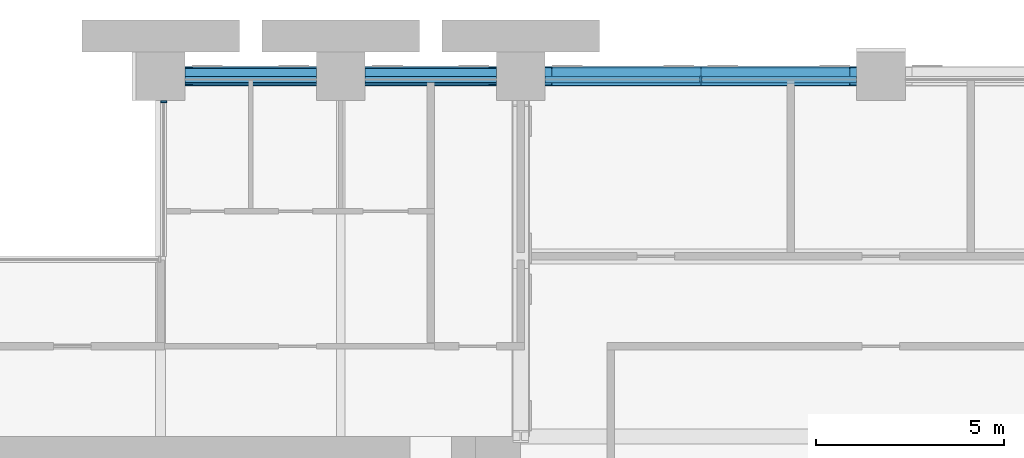
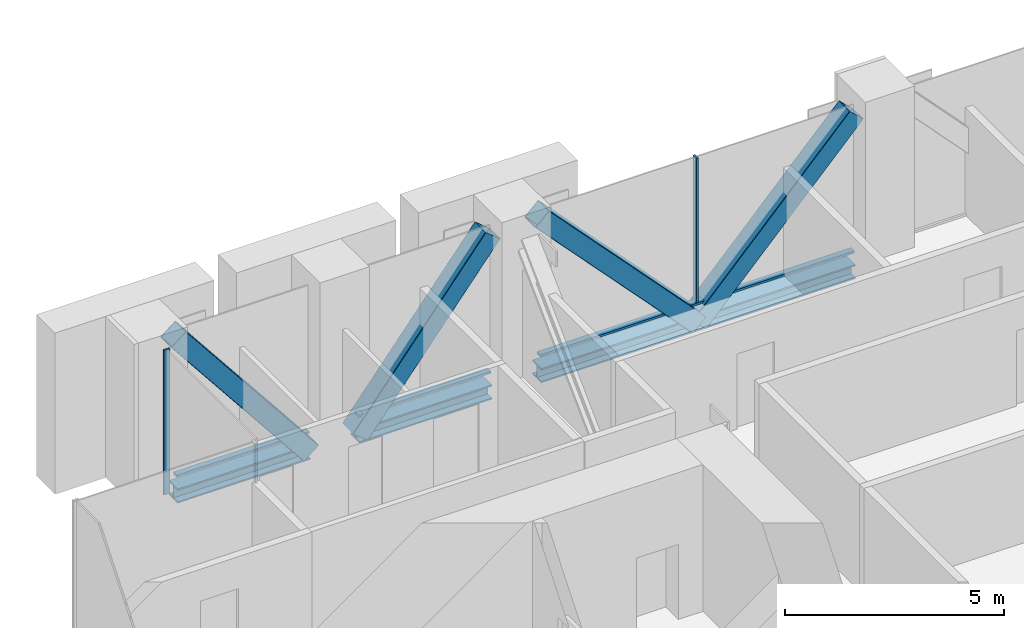
# One storey, part 7 of 15: 9 members, 3 beams, 2 elements without a shape of their own.
"""IFC4 building model written with IfcOpenShell, lengths in metres."""

from ifc_helpers import new_model, si_unit, direction, frame, origin, origin_2d, place, context, subcontext, project, spatial, rectangle, hollow_rectangle, i_section, extrude, material, material_profile, profile_set, type_object, element, aggregate, save


model = new_model("IFC4")

# Units and contexts
model_context = context("Model", 3, precision=1e-05, world=origin(), true_north=direction((0.0, 1.0)))
body_context = subcontext(model_context, "Body", "Model", "MODEL_VIEW")
ifc_project = project(units=[si_unit("LENGTHUNIT", "METRE"), si_unit("AREAUNIT", "SQUARE_METRE"), si_unit("VOLUMEUNIT", "CUBIC_METRE"), si_unit("PLANEANGLEUNIT", "RADIAN"), si_unit("MASSUNIT", "GRAM", prefix="KILO")], contexts=[model_context])

# Site, building, storey
site_placement = place(None, origin())
site = spatial("IfcSite", under=ifc_project, at=site_placement, CompositionType="ELEMENT")
building_placement = place(site_placement, origin())
building = spatial("IfcBuilding", under=site, at=building_placement, Name="Baori Bourse Tower", CompositionType="ELEMENT")
storey_placement = place(building_placement, frame((0.0, 0.0, 87.0)))
storey = spatial("IfcBuildingStorey", under=building, at=storey_placement, Name="L19", CompositionType="ELEMENT", Elevation=87.0)

# Beams
ifc_material_1 = material(Name="Steel A913 Gr 65", Category="steel")
ifc_material_profile_1 = material_profile(ifc_material_1, i_section(OverallWidth=0.4013671875, OverallDepth=0.398681640625, WebThickness=0.02490234375, FlangeThickness=0.03955078125, at=origin_2d()), Name="W14x211")
ifc_profile_set_1 = profile_set([ifc_material_profile_1], Name="Steel A913 Gr 65")
beam_type = type_object("IfcBeamType", Name="Belt truss chord W14x211", PredefinedType="BEAM", material=ifc_profile_set_1)
for number, where, z_axis, x_axis, name in (
    (1, (10.25, 48.0, -0.49951171875), (1.0, 0.0, 0.0), (0.0, 1.0, 0.0), "Belt truss chord L19"),
    (2, (15.050048828125, 48.0, -0.49951171875), (1.0, 0.0, 0.0), (0.0, 1.0, 0.0), "Belt truss chord L19"),
):
    element("IfcBeam", number, at=place(storey_placement, frame(where, z_axis=z_axis, x_axis=x_axis)), inside=storey, type_object=beam_type, Name=name, PredefinedType="BEAM", context=body_context, shape_type="SweptSolid", body=[
        extrude(i_section(OverallWidth=0.4013671875, OverallDepth=0.398681640625, WebThickness=0.02490234375, FlangeThickness=0.03955078125, at=origin_2d()), origin(), (0.0, 0.0, 1.0), 3.5),
    ])
beam_placement = place(storey_placement, frame((19.85009765625, 48.0, -0.49951171875), z_axis=(1.0, 0.0, 0.0), x_axis=(0.0, 1.0, 0.0)))
element("IfcBeam", 3, at=beam_placement, inside=storey, type_object=beam_type, Name="Belt truss chord L19", PredefinedType="BEAM", context=body_context, shape_type="SweptSolid", body=[
    extrude(i_section(OverallWidth=0.4013671875, OverallDepth=0.398681640625, WebThickness=0.02490234375, FlangeThickness=0.03955078125, at=origin_2d()), origin(), (0.0, 0.0, 1.0), 8.2998046875),
])

# Members
ifc_material_2 = material(Name="Steel A500 Gr C", Category="steel")
ifc_material_profile_2 = material_profile(ifc_material_2, hollow_rectangle(XDim=0.508056640625, YDim=0.508056640625, WallThickness=0.0146484375, InnerFilletRadius=0.00732421875, OuterFilletRadius=0.022216796875, at=origin_2d()), Name="HSS20x20x5/8")
ifc_profile_set_2 = profile_set([ifc_material_profile_2], Name="Steel A500 Gr C")
member_type_1 = type_object("IfcMemberType", Name="Belt truss diagonal HSS20x20x5/8", PredefinedType="BRACE", material=ifc_profile_set_2)
for number, where, z_axis, x_axis, name in (
    (4, (10.25, 48.0, 3.900634765625), (0.622510872677, 0.0, -0.782611150827), (0.0, 1.0, 0.0), "Belt truss diagonal L19"),
    (5, (15.050048828125, 48.0, -0.49951171875), (0.622510872677, 0.0, 0.782611150827), (0.0, 1.0, 0.0), "Belt truss diagonal L19"),
):
    element("IfcMember", number, at=place(storey_placement, frame(where, z_axis=z_axis, x_axis=x_axis)), inside=storey, type_object=member_type_1, Name=name, PredefinedType="BRACE", context=body_context, shape_type="SweptSolid", body=[
        extrude(hollow_rectangle(XDim=0.508056640625, YDim=0.508056640625, WallThickness=0.0146484375, InnerFilletRadius=0.00732421875, OuterFilletRadius=0.022216796875, at=origin_2d()), origin(), (0.0, 0.0, 1.0), 5.622314453125),
    ])
for number, where, z_axis, x_axis, name in (
    (6, (19.85009765625, 48.0, 3.900634765625), (0.686117261825, 0.0, -0.727490964223), (0.0, 1.0, 0.0), "Belt truss diagonal L19"),
    (7, (24.0, 48.0, -0.49951171875), (0.686117261825, 0.0, 0.727490964223), (0.0, 1.0, 0.0), "Belt truss diagonal L19"),
):
    element("IfcMember", number, at=place(storey_placement, frame(where, z_axis=z_axis, x_axis=x_axis)), inside=storey, type_object=member_type_1, Name=name, PredefinedType="BRACE", context=body_context, shape_type="SweptSolid", body=[
        extrude(hollow_rectangle(XDim=0.508056640625, YDim=0.508056640625, WallThickness=0.0146484375, InnerFilletRadius=0.00732421875, OuterFilletRadius=0.022216796875, at=origin_2d()), origin(), (0.0, 0.0, 1.0), 6.04833984375),
    ])

# Curtain wall, member
ifc_material_3 = material(Name="Pale anodised aluminium", Category="aluminium")
curtain_wall_type = type_object("IfcCurtainWallType", Name="CW3 Curtain wall", PredefinedType="NOTDEFINED", material=ifc_material_3)
curtain_wall_1_placement = place(storey_placement, origin())
curtain_wall_1 = element("IfcCurtainWall", 8, at=curtain_wall_1_placement, inside=storey, type_object=curtain_wall_type, Name="Curtain wall CW3 L19 4", PredefinedType="NOTDEFINED")
ifc_material_4 = material(Name="Pale anodised aluminium", Category="aluminium")
ifc_material_profile_3 = material_profile(ifc_material_4, rectangle(XDim=0.159912109375, YDim=0.050048828125, at=origin_2d()), Name="Mullion 50x160")
ifc_profile_set_3 = profile_set([ifc_material_profile_3], Name="Pale anodised aluminium")
member_type_2 = type_object("IfcMemberType", Name="CW3 Curtain wall mullion", PredefinedType="MULLION", material=ifc_profile_set_3)
member_1_placement = place(storey_placement, frame((24.0, 47.919921875, 0.06005859375), z_axis=(0.0, 0.0, 1.0), x_axis=(0.0, -1.0, 0.0)))
member_1 = element("IfcMember", 9, at=member_1_placement, type_object=member_type_2, Name="Curtain wall CW3 mullion", PredefinedType="MULLION", context=body_context, shape_type="SweptSolid", body=[
    extrude(rectangle(XDim=0.159912109375, YDim=0.050048828125, at=origin_2d()), origin(), (0.0, 0.0, 1.0), 4.0400390625),
])

curtain_wall_2_placement = place(storey_placement, origin())
curtain_wall_2 = element("IfcCurtainWall", 10, at=curtain_wall_2_placement, inside=storey, type_object=curtain_wall_type, Name="Curtain wall CW3 L19 5", PredefinedType="NOTDEFINED")
member_2_placement = place(storey_placement, frame((9.679931640625, 47.324951171875, 0.06005859375), z_axis=(0.0, 0.0, 1.0), x_axis=(1.0, 0.0, 0.0)))
member_2 = element("IfcMember", 11, at=member_2_placement, type_object=member_type_2, Name="Curtain wall CW3 mullion", PredefinedType="MULLION", context=body_context, shape_type="SweptSolid", body=[
    extrude(rectangle(XDim=0.159912109375, YDim=0.050048828125, at=origin_2d()), origin(), (0.0, 0.0, 1.0), 4.0400390625),
])
aggregate(curtain_wall_2, [member_2])

# Member
ifc_material_5 = material(Name="Pale anodised aluminium", Category="aluminium")
ifc_material_profile_4 = material_profile(ifc_material_5, rectangle(XDim=0.159912109375, YDim=0.06005859375, at=origin_2d()), Name="Transom 60x160")
ifc_profile_set_4 = profile_set([ifc_material_profile_4], Name="Pale anodised aluminium")
member_type_3 = type_object("IfcMemberType", Name="CW3 Curtain wall transom", PredefinedType="USERDEFINED", material=ifc_profile_set_4)
member_3_placement = place(storey_placement, frame((28.14990234375, 47.919921875, 0.030029296875), z_axis=(-1.0, 0.0, 0.0), x_axis=(0.0, -1.0, 0.0)))
member_3 = element("IfcMember", 12, at=member_3_placement, type_object=member_type_3, Name="Curtain wall CW3 sill rail", ObjectType="TRANSOM", PredefinedType="USERDEFINED", context=body_context, shape_type="SweptSolid", body=[
    extrude(rectangle(XDim=0.159912109375, YDim=0.06005859375, at=origin_2d()), origin(), (0.0, 0.0, 1.0), 8.2998046875),
])

member_4_placement = place(storey_placement, frame((18.550048828125, 47.919921875, 0.030029296875), z_axis=(-1.0, 0.0, 0.0), x_axis=(0.0, -1.0, 0.0)))
member_4 = element("IfcMember", 13, at=member_4_placement, type_object=member_type_3, Name="Curtain wall CW3 sill rail", ObjectType="TRANSOM", PredefinedType="USERDEFINED", context=body_context, shape_type="SweptSolid", body=[
    extrude(rectangle(XDim=0.159912109375, YDim=0.06005859375, at=origin_2d()), origin(), (0.0, 0.0, 1.0), 3.5),
])

member_5_placement = place(storey_placement, frame((13.75, 47.919921875, 0.030029296875), z_axis=(-1.0, 0.0, 0.0), x_axis=(0.0, -1.0, 0.0)))
member_5 = element("IfcMember", 14, at=member_5_placement, type_object=member_type_3, Name="Curtain wall CW3 sill rail", ObjectType="TRANSOM", PredefinedType="USERDEFINED", context=body_context, shape_type="SweptSolid", body=[
    extrude(rectangle(XDim=0.159912109375, YDim=0.06005859375, at=origin_2d()), origin(), (0.0, 0.0, 1.0), 3.5),
])

aggregate(curtain_wall_1, [member_3, member_1, member_4, member_5])

save(model, "model.ifc")
